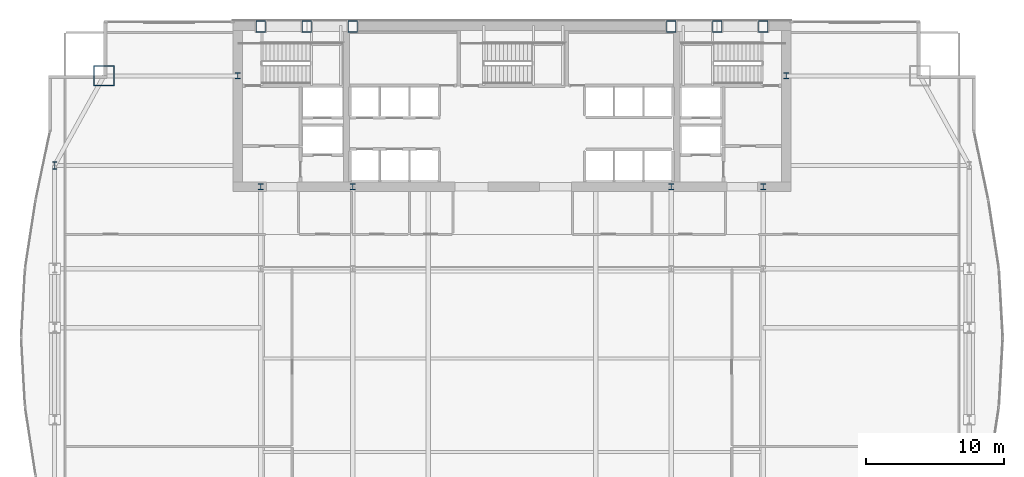
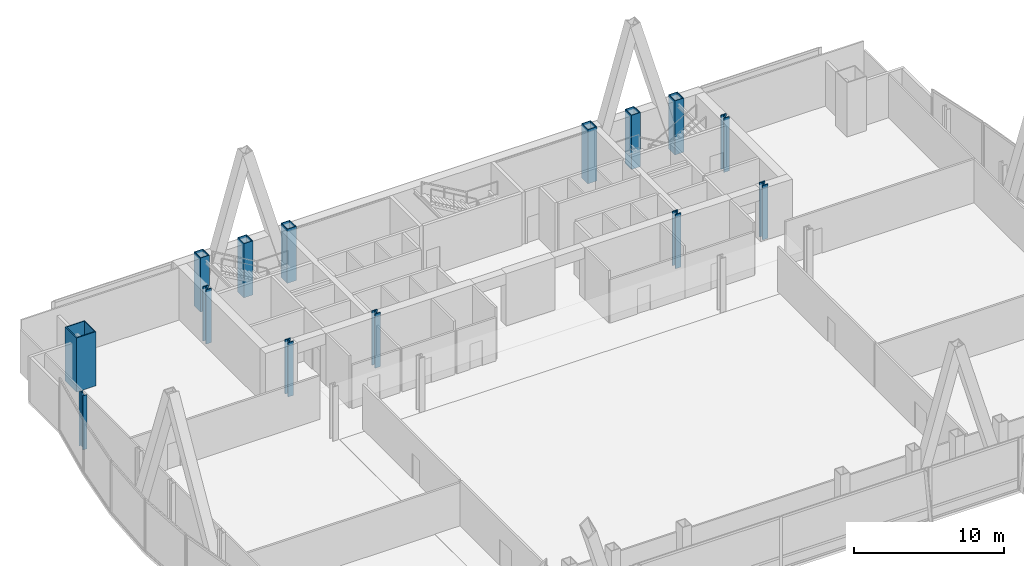
# One storey, part 3 of 32: 14 columns.
"""IFC4 building model written with IfcOpenShell, lengths in metres."""

import ifcopenshell
import ifcopenshell.guid

model = None  # the IFC model being written
_history = None  # IfcOwnerHistory: only IFC2X3 demands one
_inside = {}  # id of a spatial element -> (the spatial element, [elements in it])
_under = {}  # id of a project, library or spatial element -> (it, [spatial elements below it])
_declared = {}  # id of a project -> (the project, [libraries it declares])
_typed = {}  # id of a type object -> (the type object, [elements of that type])
_made_of = {}  # id of a material, layer set ... -> (it, [elements and type objects made of it])


def new_model(schema):
    """Start an empty IFC model of exactly this schema.

    Asked for "IFC4X3", IfcOpenShell would pick the latest addendum, in which some entities
    have other attributes; the version numbers below select the first issue.
    IFC2X3 requires an IfcOwnerHistory on every rooted entity: one is made here for all.
    """
    global model, _history
    if schema == "IFC4X3":
        model = ifcopenshell.file(schema_version=(4, 3, 0, 0))
    else:
        model = ifcopenshell.file(schema=schema)
    _inside.clear()
    _under.clear()
    _declared.clear()
    _typed.clear()
    _made_of.clear()
    _history = None
    if model.schema == "IFC2X3":
        org = make("IfcOrganization", Name="unknown")
        user = make(
            "IfcPersonAndOrganization",
            ThePerson=make("IfcPerson", FamilyName="unknown"),
            TheOrganization=org,
        )
        app = make(
            "IfcApplication",
            ApplicationDeveloper=org,
            Version="unknown",
            ApplicationFullName="unknown",
            ApplicationIdentifier="unknown",
        )
        _history = make(
            "IfcOwnerHistory",
            OwningUser=user,
            OwningApplication=app,
            ChangeAction="ADDED",
            CreationDate=0,
        )
    return model


def make(cls, **values):
    """One entity of the class cls with the attributes given. An attribute that is None is left unset."""
    return model.create_entity(
        cls, **{name: value for name, value in values.items() if value is not None}
    )


def rooted(cls, **values):
    """An entity with a GlobalId (a new one), such as an element, a storey or a relation."""
    return make(cls, GlobalId=ifcopenshell.guid.new(), OwnerHistory=_history, **values)


def si_unit(unit_type, name, prefix=None):
    """IfcSIUnit, for example si_unit("LENGTHUNIT", "METRE", prefix="MILLI")."""
    return make("IfcSIUnit", UnitType=unit_type, Prefix=prefix, Name=name)


def assignment(units):
    """IfcUnitAssignment: the units of a project."""
    return None if units is None else make("IfcUnitAssignment", Units=units)


def point(xyz):
    """IfcCartesianPoint."""
    return None if xyz is None else make("IfcCartesianPoint", Coordinates=xyz)


def direction(xyz):
    """IfcDirection."""
    return None if xyz is None else make("IfcDirection", DirectionRatios=xyz)


def frame(location, z_axis=None, x_axis=None):
    """IfcAxis2Placement3D, a coordinate frame: its origin and axes. An axis left out is left unset."""
    return make(
        "IfcAxis2Placement3D",
        Location=point(location),
        Axis=direction(z_axis),
        RefDirection=direction(x_axis),
    )


def frame_2d(location, x_axis=None):
    """IfcAxis2Placement2D, a coordinate frame in the plane: its origin and x axis."""
    return make(
        "IfcAxis2Placement2D", Location=point(location), RefDirection=direction(x_axis)
    )


def origin():
    """The frame at (0, 0, 0) with its axes left unset."""
    return frame((0.0, 0.0, 0.0))


def origin_2d():
    """The frame at (0, 0) in the plane with its x axis left unset."""
    return frame_2d((0.0, 0.0))


def place(relative_to, where):
    """IfcLocalPlacement: puts the frame where relative to a parent placement (None: the world)."""
    return make(
        "IfcLocalPlacement", PlacementRelTo=relative_to, RelativePlacement=where
    )


def context(
    kind, dimensions, precision=None, world=None, true_north=None, identifier=None
):
    """IfcGeometricRepresentationContext, for example the 3D "Model" context."""
    return make(
        "IfcGeometricRepresentationContext",
        ContextIdentifier=identifier,
        ContextType=kind,
        CoordinateSpaceDimension=dimensions,
        Precision=precision,
        WorldCoordinateSystem=world,
        TrueNorth=true_north,
    )


def subcontext(parent, identifier, kind, view, scale=None):
    """IfcGeometricRepresentationSubContext, for example "Body" below "Model"."""
    return make(
        "IfcGeometricRepresentationSubContext",
        ContextIdentifier=identifier,
        ContextType=kind,
        ParentContext=parent,
        TargetScale=scale,
        TargetView=view,
    )


def project(units=None, contexts=None):
    """IfcProject with its units and contexts."""
    return rooted(
        "IfcProject",
        Name="project",
        RepresentationContexts=contexts,
        UnitsInContext=assignment(units),
    )


def spatial(cls, under=None, at=None, **own):
    """A site, building, storey or space (cls), placed at a placement, below another one or the project."""
    s = rooted(cls, ObjectPlacement=at, **own)
    if under is not None:
        _under.setdefault(under.id(), (under, []))[1].append(s)
    return s


def profile(cls, at=None, kind="AREA", **sizes):
    """A parametric profile (cls). Its sizes go by their IFC names, for example OverallWidth=200.0."""
    return make(cls, ProfileType=kind, Position=at, **sizes)


def hollow_rectangle(**sizes):
    """IfcRectangleHollowProfileDef."""
    return profile("IfcRectangleHollowProfileDef", **sizes)


def i_section(**sizes):
    """IfcIShapeProfileDef."""
    return profile("IfcIShapeProfileDef", **sizes)


def extrude(swept, where, along, depth):
    """IfcExtrudedAreaSolid: the profile swept, set in the frame where, extruded along a direction by depth."""
    return make(
        "IfcExtrudedAreaSolid",
        SweptArea=swept,
        Position=where,
        ExtrudedDirection=direction(along),
        Depth=depth,
    )


def shape(context_of_items, identifier, shape_type, items):
    """IfcShapeRepresentation: the items that make up one representation, for example the "Body"."""
    return make(
        "IfcShapeRepresentation",
        ContextOfItems=context_of_items,
        RepresentationIdentifier=identifier,
        RepresentationType=shape_type,
        Items=items,
    )


def material(Name=None, Category=None):
    """IfcMaterial."""
    return make("IfcMaterial", Name=Name, Category=Category)


def material_profile(
    of_material, cross_section, Name=None, Category=None, Priority=None
):
    """IfcMaterialProfile: a cross section and its material."""
    return make(
        "IfcMaterialProfile",
        Name=Name,
        Material=of_material,
        Profile=cross_section,
        Priority=Priority,
        Category=Category,
    )


def profile_set(profiles, Name=None, composite=None):
    """IfcMaterialProfileSet."""
    return make(
        "IfcMaterialProfileSet",
        Name=Name,
        MaterialProfiles=profiles,
        CompositeProfile=composite,
    )


def made_of(thing, what):
    """Note that an element or type object is made of a material, layer set ...; save() writes the relation."""
    if what is not None:
        _made_of.setdefault(what.id(), (what, []))[1].append(thing)
    return thing


def type_object(cls, material=None, **own):
    """A type object (cls), such as IfcWallType, which elements share."""
    return made_of(rooted(cls, **own), material)


def element(
    cls,
    number,
    at=None,
    inside=None,
    cuts=None,
    type_object=None,
    material=None,
    context=None,
    identifier="Body",
    shape_type=None,
    held_by="IfcProductDefinitionShape",
    body=None,
    shapes=None,
    **own,
):
    """One element of the class cls, such as IfcWall. Its Tag is "e" and its number.

    at: its placement. inside: the storey or other place that contains it. cuts: it is an
    opening in that element (IfcRelVoidsElement). A single representation is given by context,
    identifier, shape_type and body (its items); several are given by shapes. held_by: the class
    of the entity that holds the representations. save() writes the other relations.
    """
    e = rooted(cls, Tag="e%d" % number, ObjectPlacement=at, **own)
    if body is not None:
        shapes = [shape(context, identifier, shape_type, body)]
    if shapes is not None:
        e.Representation = make(held_by, Representations=shapes)
    if inside is not None:
        _inside.setdefault(inside.id(), (inside, []))[1].append(e)
    if cuts is not None:
        rooted(
            "IfcRelVoidsElement", RelatingBuildingElement=cuts, RelatedOpeningElement=e
        )
    if type_object is not None:
        _typed.setdefault(type_object.id(), (type_object, []))[1].append(e)
    return made_of(e, material)


def aggregate(whole, parts):
    """IfcRelAggregates: a whole, such as a stair, and the parts it consists of."""
    return rooted("IfcRelAggregates", RelatingObject=whole, RelatedObjects=parts)


def save(model, path):
    """Write the relations noted so far, then the file.

    IfcRelAggregates (storeys below a building ...), IfcRelContainedInSpatialStructure (elements
    in a storey), IfcRelDefinesByType, IfcRelAssociatesMaterial and IfcRelDeclares: one each for
    every whole, place, type object, material and project.
    """
    for whole, parts in _under.values():
        aggregate(whole, parts)
    for where, things in _inside.values():
        rooted(
            "IfcRelContainedInSpatialStructure",
            RelatedElements=things,
            RelatingStructure=where,
        )
    for kind, things in _typed.values():
        rooted("IfcRelDefinesByType", RelatedObjects=things, RelatingType=kind)
    for what, things in _made_of.values():
        rooted("IfcRelAssociatesMaterial", RelatedObjects=things, RelatingMaterial=what)
    for by, libraries in _declared.values():
        rooted("IfcRelDeclares", RelatingContext=by, RelatedDefinitions=libraries)
    model.write(path)


model = new_model("IFC4")

# Units and contexts
model_context = context("Model", 3, precision=1e-05, world=origin(), true_north=direction((0.0, 1.0)))
body_context = subcontext(model_context, "Body", "Model", "MODEL_VIEW")
ifc_project = project(units=[si_unit("LENGTHUNIT", "METRE"), si_unit("AREAUNIT", "SQUARE_METRE"), si_unit("VOLUMEUNIT", "CUBIC_METRE"), si_unit("PLANEANGLEUNIT", "RADIAN"), si_unit("MASSUNIT", "GRAM", prefix="KILO")], contexts=[model_context])

# Site, building, storey
site_placement = place(None, origin())
site = spatial("IfcSite", under=ifc_project, at=site_placement, CompositionType="ELEMENT")
building_placement = place(site_placement, origin())
building = spatial("IfcBuilding", under=site, at=building_placement, Name="Khoronbel Lancet Exchange", CompositionType="ELEMENT")
storey_placement = place(building_placement, frame((0.0, 0.0, 106.60009765625)))
storey = spatial("IfcBuildingStorey", under=building, at=storey_placement, Name="L25", CompositionType="ELEMENT", Elevation=106.60009765625)

# Columns
ifc_material_1 = material(Name="Steel S460", Category="steel")
ifc_material_profile_1 = material_profile(ifc_material_1, hollow_rectangle(XDim=0.699951171875, YDim=0.85009765625, WallThickness=0.050048828125, at=origin_2d()), Name="BOX 850x700x50")
ifc_profile_set_1 = profile_set([ifc_material_profile_1], Name="Steel S460")
column_type_1 = type_object("IfcColumnType", Name="COL-EC2", PredefinedType="COLUMN", material=ifc_profile_set_1)
for number, where, z_axis, x_axis, name in (
    (1, (18.22509765625, 53.280029296875, 0.0), (0.0, 0.0, 1.0), (1.0, 0.0, 0.0), "Structural column NC-W1 L25"),
    (2, (21.5625, 53.280029296875, 0.0), (0.0, 0.0, 1.0), (1.0, 0.0, 0.0), "Structural column NC-WM L25"),
    (3, (24.89990234375, 53.280029296875, 0.0), (0.0, 0.0, 1.0), (1.0, 0.0, 0.0), "Structural column NC-W2 L25"),
    (4, (48.0, 53.280029296875, 0.0), (0.0, 0.0, 1.0), (1.0, 0.0, 0.0), "Structural column NC-E1 L25"),
    (5, (51.33740234375, 53.280029296875, 0.0), (0.0, 0.0, 1.0), (1.0, 0.0, 0.0), "Structural column NC-EM L25"),
    (6, (54.675048828125, 53.280029296875, 0.0), (0.0, 0.0, 1.0), (1.0, 0.0, 0.0), "Structural column NC-E2 L25"),
):
    element("IfcColumn", number, at=place(storey_placement, frame(where, z_axis=z_axis, x_axis=x_axis)), inside=storey, type_object=column_type_1, Name=name, PredefinedType="COLUMN", context=body_context, shape_type="SweptSolid", body=[
        extrude(hollow_rectangle(XDim=0.699951171875, YDim=0.85009765625, WallThickness=0.050048828125, at=origin_2d()), origin(), (0.0, 0.0, 1.0), 4.39990234375),
    ])
ifc_material_profile_2 = material_profile(ifc_material_1, i_section(OverallWidth=0.424072265625, OverallDepth=0.47412109375, WebThickness=0.047607421875, FlangeThickness=0.076904296875, at=origin_2d()), Name="HD 400x634")
ifc_profile_set_2 = profile_set([ifc_material_profile_2], Name="Steel S460")
column_type_2 = type_object("IfcColumnType", Name="COL-IC1", PredefinedType="COLUMN", material=ifc_profile_set_2)
for number, where, z_axis, x_axis, name in (
    (7, (16.550048828125, 49.699951171875, 0.0), (0.0, 0.0, 1.0), (1.0, 0.0, 0.0), "Core-flank plumb transfer column CFW L25"),
    (8, (56.35009765625, 49.699951171875, 0.0), (0.0, 0.0, 1.0), (1.0, 0.0, 0.0), "Core-flank plumb transfer column CFE L25"),
    (9, (18.22509765625, 41.64990234375, 0.0), (0.0, 0.0, 1.0), (1.0, 0.0, 0.0), "Core-embedded steel column CTC1 L25"),
    (10, (24.89990234375, 41.64990234375, 0.0), (0.0, 0.0, 1.0), (1.0, 0.0, 0.0), "Core-embedded steel column CTC2 L25"),
    (11, (48.0, 41.64990234375, 0.0), (0.0, 0.0, 1.0), (1.0, 0.0, 0.0), "Core-embedded steel column CTC3 L25"),
    (12, (54.675048828125, 41.64990234375, 0.0), (0.0, 0.0, 1.0), (1.0, 0.0, 0.0), "Core-embedded steel column CTC4 L25"),
):
    element("IfcColumn", number, at=place(storey_placement, frame(where, z_axis=z_axis, x_axis=x_axis)), inside=storey, type_object=column_type_2, Name=name, PredefinedType="COLUMN", context=body_context, shape_type="SweptSolid", body=[
        extrude(i_section(OverallWidth=0.424072265625, OverallDepth=0.47412109375, WebThickness=0.047607421875, FlangeThickness=0.076904296875, at=origin_2d()), origin(), (0.0, 0.0, 1.0), 4.39990234375),
    ])
ifc_material_2 = material(Name="Steel S355", Category="steel")
ifc_material_profile_3 = material_profile(ifc_material_2, i_section(OverallWidth=0.300048828125, OverallDepth=0.550048828125, WebThickness=0.014892578125, FlangeThickness=0.029052734375, at=origin_2d()), Name="HEB 550")
ifc_profile_set_3 = profile_set([ifc_material_profile_3], Name="Steel S355")
column_type_3 = type_object("IfcColumnType", Name="COL-LC1", PredefinedType="COLUMN", material=ifc_profile_set_3)
column_1_placement = place(storey_placement, frame((3.27001953125, 43.199951171875, 0.0), z_axis=(0.0, 0.0, 1.0), x_axis=(1.0, 0.0, 0.0)))
element("IfcColumn", 13, at=column_1_placement, inside=storey, type_object=column_type_3, Name="Structural column WC-4 L25", PredefinedType="COLUMN", context=body_context, shape_type="SweptSolid", body=[
    extrude(i_section(OverallWidth=0.300048828125, OverallDepth=0.550048828125, WebThickness=0.014892578125, FlangeThickness=0.029052734375, at=origin_2d()), origin(), (0.0, 0.0, 1.0), 4.39990234375),
])
ifc_material_profile_4 = material_profile(ifc_material_1, hollow_rectangle(XDim=1.5, YDim=1.5, WallThickness=0.070068359375, at=origin_2d()), Name="BOX 1500x1500x70")
ifc_profile_set_4 = profile_set([ifc_material_profile_4], Name="Steel S460")
column_type_4 = type_object("IfcColumnType", Name="COL-MC3", PredefinedType="COLUMN", material=ifc_profile_set_4)
column_2_placement = place(storey_placement, frame((6.85009765625, 49.699951171875, 0.0), z_axis=(0.0, 0.0, 1.0), x_axis=(1.0, 0.0, 0.0)))
element("IfcColumn", 14, at=column_2_placement, inside=storey, type_object=column_type_4, Name="Structural column MC-NW L25", PredefinedType="COLUMN", context=body_context, shape_type="SweptSolid", body=[
    extrude(hollow_rectangle(XDim=1.5, YDim=1.5, WallThickness=0.070068359375, at=origin_2d()), origin(), (0.0, 0.0, 1.0), 4.39990234375),
])

save(model, "model.ifc")
